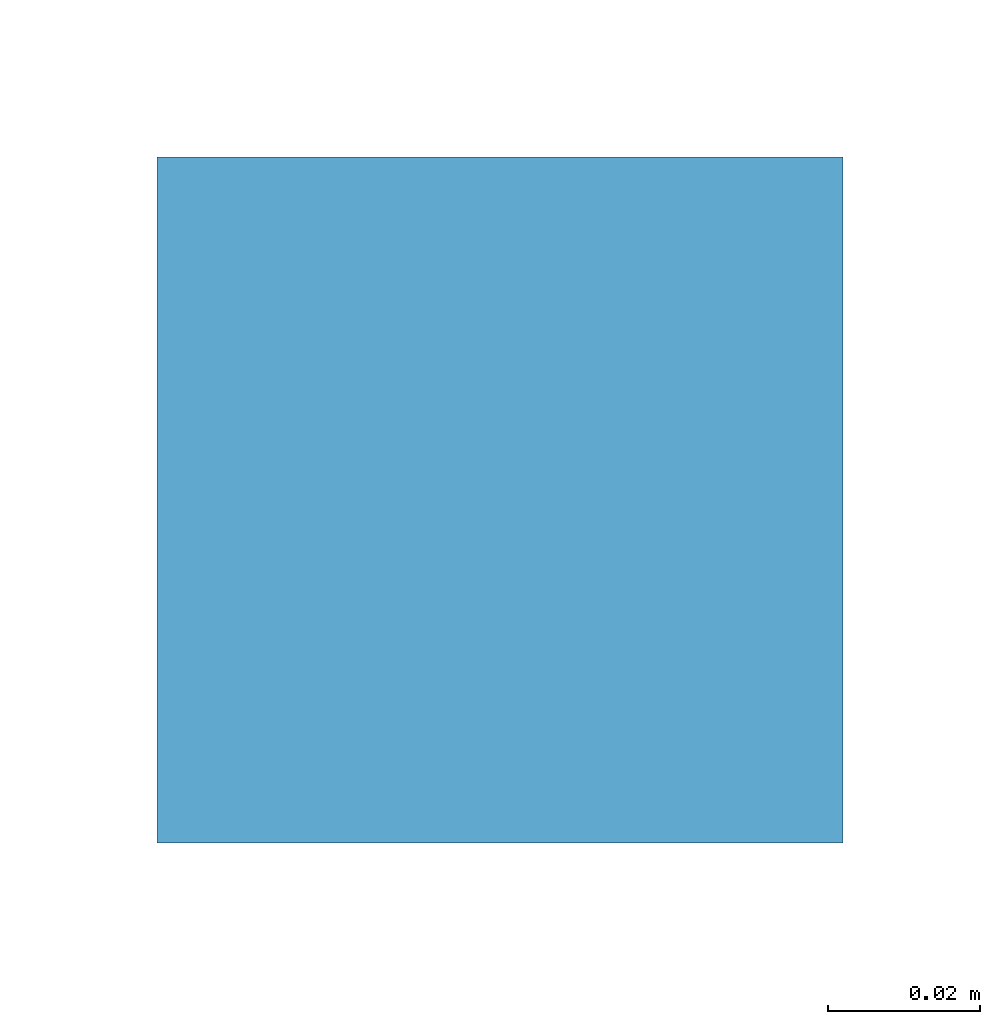
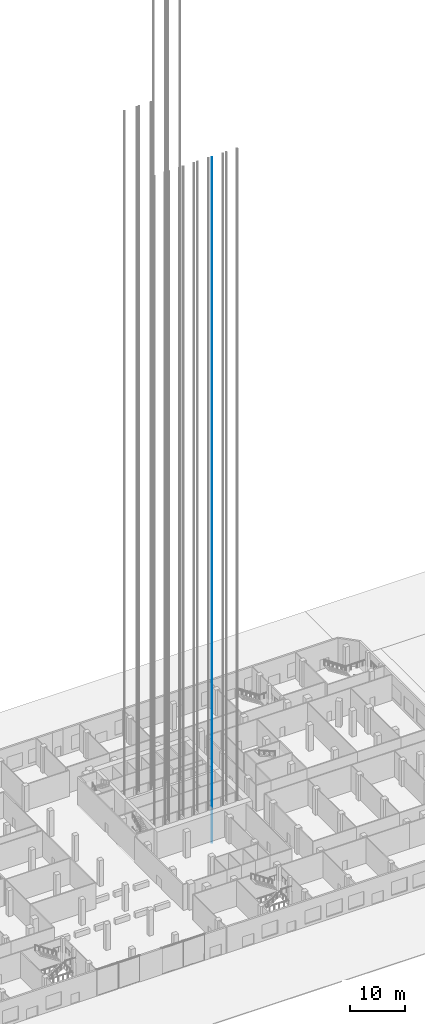
# One storey, part 20 of 55: 1 member.
"""IFC4 building model written with IfcOpenShell, lengths in metres."""

from ifc_helpers import new_model, si_unit, direction, frame, origin, origin_2d, place, context, subcontext, project, spatial, rectangle, extrude, material, material_profile, profile_set, type_object, element, save


model = new_model("IFC4")

# Units and contexts
model_context = context("Model", 3, precision=1e-05, world=origin(), true_north=direction((0.0, 1.0)))
body_context = subcontext(model_context, "Body", "Model", "MODEL_VIEW")
ifc_project = project(units=[si_unit("LENGTHUNIT", "METRE"), si_unit("AREAUNIT", "SQUARE_METRE"), si_unit("VOLUMEUNIT", "CUBIC_METRE"), si_unit("PLANEANGLEUNIT", "RADIAN"), si_unit("MASSUNIT", "GRAM", prefix="KILO")], contexts=[model_context])

# Site, building, storey
site_placement = place(None, origin())
site = spatial("IfcSite", under=ifc_project, at=site_placement, CompositionType="ELEMENT")
building_placement = place(site_placement, origin())
building = spatial("IfcBuilding", under=site, at=building_placement, Name="Cinnabar Reach Civic Tower", CompositionType="ELEMENT")
storey_placement = place(building_placement, origin())
storey = spatial("IfcBuildingStorey", under=building, at=storey_placement, Name="L00", CompositionType="ELEMENT", Elevation=0.0)

# Member
ifc_material = material(Name="Steel Q355B", Category="steel")
ifc_material_profile = material_profile(ifc_material, rectangle(XDim=0.09, YDim=0.09, at=origin_2d()), Name="T1 lift guide rail")
ifc_profile_set = profile_set([ifc_material_profile], Name="Steel Q355B")
member_type = type_object("IfcMemberType", Name="T1 lift guide rail", PredefinedType="USERDEFINED", material=ifc_profile_set)
member_placement = place(storey_placement, frame((16.87, 22.5, -2.5), z_axis=(0.0, 0.0, 1.0), x_axis=(1.0, 0.0, 0.0)))
element("IfcMember", 1, at=member_placement, inside=storey, type_object=member_type, Name="T1-LR5 guide rail 1", ObjectType="GUIDE RAIL", PredefinedType="USERDEFINED", context=body_context, shape_type="SweptSolid", body=[
    extrude(rectangle(XDim=0.09, YDim=0.09, at=origin_2d()), origin(), (0.0, 0.0, 1.0), 150.9),
])

save(model, "model.ifc")
